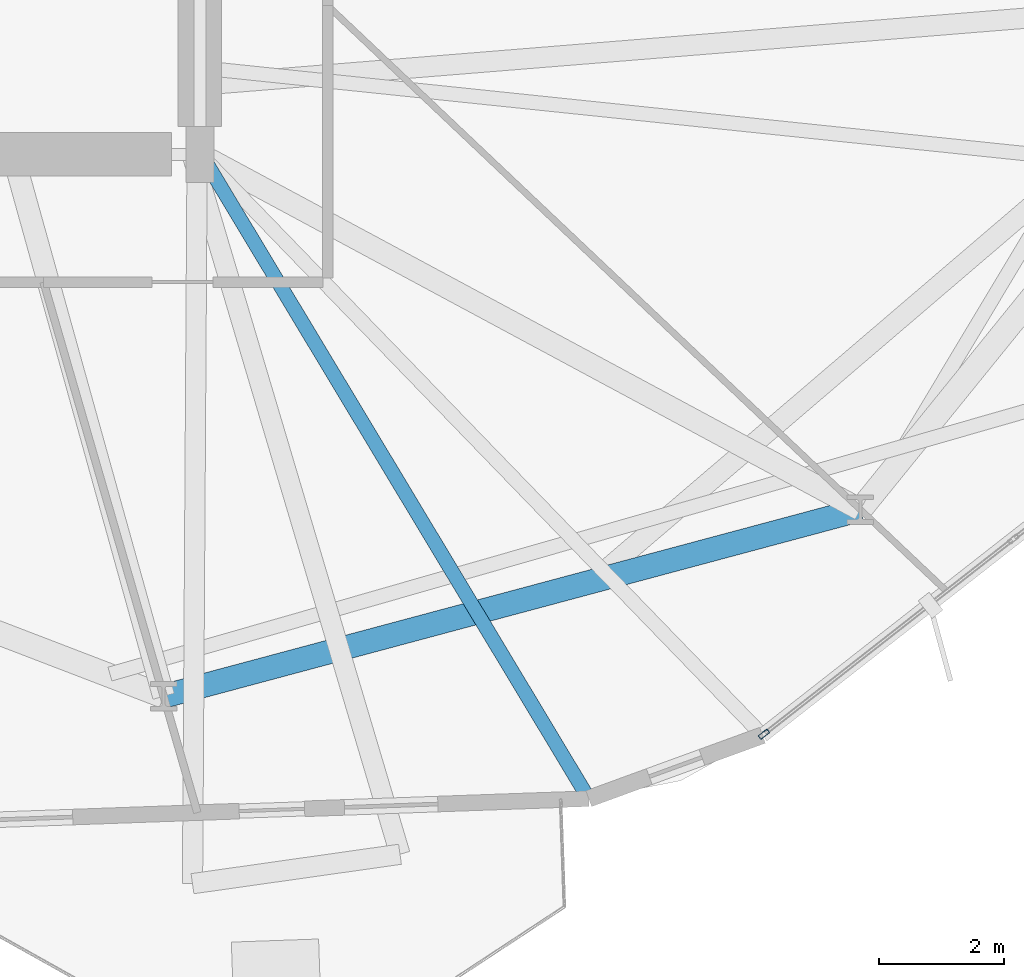
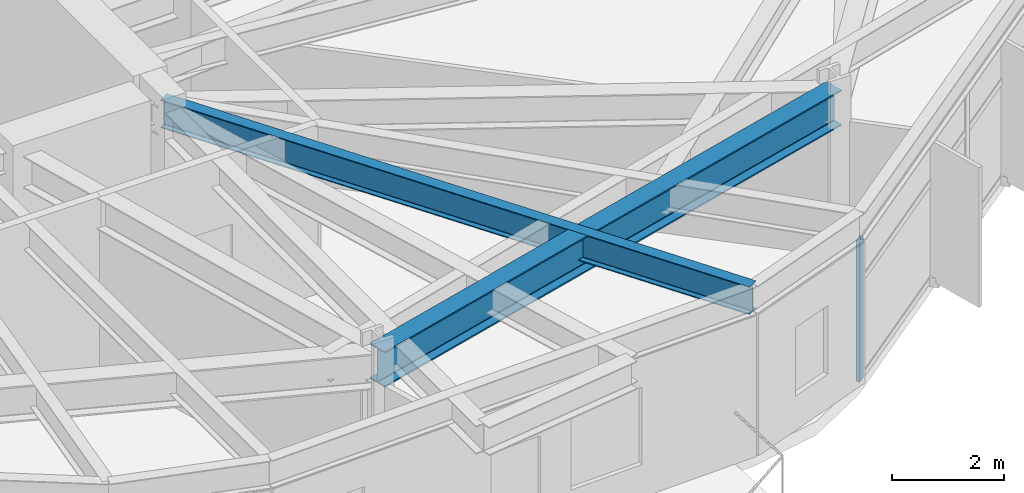
# One storey, part 5 of 21: 2 beams, 1 member, 1 element without a shape of its own.
"""IFC4 building model written with IfcOpenShell, lengths in metres."""

import ifcopenshell
import ifcopenshell.guid

model = None  # the IFC model being written
_history = None  # IfcOwnerHistory: only IFC2X3 demands one
_inside = {}  # id of a spatial element -> (the spatial element, [elements in it])
_under = {}  # id of a project, library or spatial element -> (it, [spatial elements below it])
_declared = {}  # id of a project -> (the project, [libraries it declares])
_typed = {}  # id of a type object -> (the type object, [elements of that type])
_made_of = {}  # id of a material, layer set ... -> (it, [elements and type objects made of it])


def new_model(schema):
    """Start an empty IFC model of exactly this schema.

    Asked for "IFC4X3", IfcOpenShell would pick the latest addendum, in which some entities
    have other attributes; the version numbers below select the first issue.
    IFC2X3 requires an IfcOwnerHistory on every rooted entity: one is made here for all.
    """
    global model, _history
    if schema == "IFC4X3":
        model = ifcopenshell.file(schema_version=(4, 3, 0, 0))
    else:
        model = ifcopenshell.file(schema=schema)
    _inside.clear()
    _under.clear()
    _declared.clear()
    _typed.clear()
    _made_of.clear()
    _history = None
    if model.schema == "IFC2X3":
        org = make("IfcOrganization", Name="unknown")
        user = make(
            "IfcPersonAndOrganization",
            ThePerson=make("IfcPerson", FamilyName="unknown"),
            TheOrganization=org,
        )
        app = make(
            "IfcApplication",
            ApplicationDeveloper=org,
            Version="unknown",
            ApplicationFullName="unknown",
            ApplicationIdentifier="unknown",
        )
        _history = make(
            "IfcOwnerHistory",
            OwningUser=user,
            OwningApplication=app,
            ChangeAction="ADDED",
            CreationDate=0,
        )
    return model


def make(cls, **values):
    """One entity of the class cls with the attributes given. An attribute that is None is left unset."""
    return model.create_entity(
        cls, **{name: value for name, value in values.items() if value is not None}
    )


def rooted(cls, **values):
    """An entity with a GlobalId (a new one), such as an element, a storey or a relation."""
    return make(cls, GlobalId=ifcopenshell.guid.new(), OwnerHistory=_history, **values)


def si_unit(unit_type, name, prefix=None):
    """IfcSIUnit, for example si_unit("LENGTHUNIT", "METRE", prefix="MILLI")."""
    return make("IfcSIUnit", UnitType=unit_type, Prefix=prefix, Name=name)


def assignment(units):
    """IfcUnitAssignment: the units of a project."""
    return None if units is None else make("IfcUnitAssignment", Units=units)


def point(xyz):
    """IfcCartesianPoint."""
    return None if xyz is None else make("IfcCartesianPoint", Coordinates=xyz)


def direction(xyz):
    """IfcDirection."""
    return None if xyz is None else make("IfcDirection", DirectionRatios=xyz)


def frame(location, z_axis=None, x_axis=None):
    """IfcAxis2Placement3D, a coordinate frame: its origin and axes. An axis left out is left unset."""
    return make(
        "IfcAxis2Placement3D",
        Location=point(location),
        Axis=direction(z_axis),
        RefDirection=direction(x_axis),
    )


def frame_2d(location, x_axis=None):
    """IfcAxis2Placement2D, a coordinate frame in the plane: its origin and x axis."""
    return make(
        "IfcAxis2Placement2D", Location=point(location), RefDirection=direction(x_axis)
    )


def origin():
    """The frame at (0, 0, 0) with its axes left unset."""
    return frame((0.0, 0.0, 0.0))


def origin_2d():
    """The frame at (0, 0) in the plane with its x axis left unset."""
    return frame_2d((0.0, 0.0))


def place(relative_to, where):
    """IfcLocalPlacement: puts the frame where relative to a parent placement (None: the world)."""
    return make(
        "IfcLocalPlacement", PlacementRelTo=relative_to, RelativePlacement=where
    )


def context(
    kind, dimensions, precision=None, world=None, true_north=None, identifier=None
):
    """IfcGeometricRepresentationContext, for example the 3D "Model" context."""
    return make(
        "IfcGeometricRepresentationContext",
        ContextIdentifier=identifier,
        ContextType=kind,
        CoordinateSpaceDimension=dimensions,
        Precision=precision,
        WorldCoordinateSystem=world,
        TrueNorth=true_north,
    )


def subcontext(parent, identifier, kind, view, scale=None):
    """IfcGeometricRepresentationSubContext, for example "Body" below "Model"."""
    return make(
        "IfcGeometricRepresentationSubContext",
        ContextIdentifier=identifier,
        ContextType=kind,
        ParentContext=parent,
        TargetScale=scale,
        TargetView=view,
    )


def project(units=None, contexts=None):
    """IfcProject with its units and contexts."""
    return rooted(
        "IfcProject",
        Name="project",
        RepresentationContexts=contexts,
        UnitsInContext=assignment(units),
    )


def spatial(cls, under=None, at=None, **own):
    """A site, building, storey or space (cls), placed at a placement, below another one or the project."""
    s = rooted(cls, ObjectPlacement=at, **own)
    if under is not None:
        _under.setdefault(under.id(), (under, []))[1].append(s)
    return s


def profile(cls, at=None, kind="AREA", **sizes):
    """A parametric profile (cls). Its sizes go by their IFC names, for example OverallWidth=200.0."""
    return make(cls, ProfileType=kind, Position=at, **sizes)


def hollow_rectangle(**sizes):
    """IfcRectangleHollowProfileDef."""
    return profile("IfcRectangleHollowProfileDef", **sizes)


def i_section(**sizes):
    """IfcIShapeProfileDef."""
    return profile("IfcIShapeProfileDef", **sizes)


def extrude(swept, where, along, depth):
    """IfcExtrudedAreaSolid: the profile swept, set in the frame where, extruded along a direction by depth."""
    return make(
        "IfcExtrudedAreaSolid",
        SweptArea=swept,
        Position=where,
        ExtrudedDirection=direction(along),
        Depth=depth,
    )


def shape(context_of_items, identifier, shape_type, items):
    """IfcShapeRepresentation: the items that make up one representation, for example the "Body"."""
    return make(
        "IfcShapeRepresentation",
        ContextOfItems=context_of_items,
        RepresentationIdentifier=identifier,
        RepresentationType=shape_type,
        Items=items,
    )


def material(Name=None, Category=None):
    """IfcMaterial."""
    return make("IfcMaterial", Name=Name, Category=Category)


def layer(
    of_material, thickness, ventilated=None, Name=None, Category=None, Priority=None
):
    """IfcMaterialLayer: one layer of a wall or slab, of a material (None: an air gap)."""
    return make(
        "IfcMaterialLayer",
        Material=of_material,
        LayerThickness=thickness,
        IsVentilated=ventilated,
        Name=Name,
        Category=Category,
        Priority=Priority,
    )


def layer_set(layers, Name=None):
    """IfcMaterialLayerSet."""
    return make("IfcMaterialLayerSet", MaterialLayers=layers, LayerSetName=Name)


def material_profile(
    of_material, cross_section, Name=None, Category=None, Priority=None
):
    """IfcMaterialProfile: a cross section and its material."""
    return make(
        "IfcMaterialProfile",
        Name=Name,
        Material=of_material,
        Profile=cross_section,
        Priority=Priority,
        Category=Category,
    )


def profile_set(profiles, Name=None, composite=None):
    """IfcMaterialProfileSet."""
    return make(
        "IfcMaterialProfileSet",
        Name=Name,
        MaterialProfiles=profiles,
        CompositeProfile=composite,
    )


def made_of(thing, what):
    """Note that an element or type object is made of a material, layer set ...; save() writes the relation."""
    if what is not None:
        _made_of.setdefault(what.id(), (what, []))[1].append(thing)
    return thing


def type_object(cls, material=None, **own):
    """A type object (cls), such as IfcWallType, which elements share."""
    return made_of(rooted(cls, **own), material)


def element(
    cls,
    number,
    at=None,
    inside=None,
    cuts=None,
    type_object=None,
    material=None,
    context=None,
    identifier="Body",
    shape_type=None,
    held_by="IfcProductDefinitionShape",
    body=None,
    shapes=None,
    **own,
):
    """One element of the class cls, such as IfcWall. Its Tag is "e" and its number.

    at: its placement. inside: the storey or other place that contains it. cuts: it is an
    opening in that element (IfcRelVoidsElement). A single representation is given by context,
    identifier, shape_type and body (its items); several are given by shapes. held_by: the class
    of the entity that holds the representations. save() writes the other relations.
    """
    e = rooted(cls, Tag="e%d" % number, ObjectPlacement=at, **own)
    if body is not None:
        shapes = [shape(context, identifier, shape_type, body)]
    if shapes is not None:
        e.Representation = make(held_by, Representations=shapes)
    if inside is not None:
        _inside.setdefault(inside.id(), (inside, []))[1].append(e)
    if cuts is not None:
        rooted(
            "IfcRelVoidsElement", RelatingBuildingElement=cuts, RelatedOpeningElement=e
        )
    if type_object is not None:
        _typed.setdefault(type_object.id(), (type_object, []))[1].append(e)
    return made_of(e, material)


def aggregate(whole, parts):
    """IfcRelAggregates: a whole, such as a stair, and the parts it consists of."""
    return rooted("IfcRelAggregates", RelatingObject=whole, RelatedObjects=parts)


def save(model, path):
    """Write the relations noted so far, then the file.

    IfcRelAggregates (storeys below a building ...), IfcRelContainedInSpatialStructure (elements
    in a storey), IfcRelDefinesByType, IfcRelAssociatesMaterial and IfcRelDeclares: one each for
    every whole, place, type object, material and project.
    """
    for whole, parts in _under.values():
        aggregate(whole, parts)
    for where, things in _inside.values():
        rooted(
            "IfcRelContainedInSpatialStructure",
            RelatedElements=things,
            RelatingStructure=where,
        )
    for kind, things in _typed.values():
        rooted("IfcRelDefinesByType", RelatedObjects=things, RelatingType=kind)
    for what, things in _made_of.values():
        rooted("IfcRelAssociatesMaterial", RelatedObjects=things, RelatingMaterial=what)
    for by, libraries in _declared.values():
        rooted("IfcRelDeclares", RelatingContext=by, RelatedDefinitions=libraries)
    model.write(path)


model = new_model("IFC4")

# Units and contexts
model_context = context("Model", 3, precision=1e-05, world=origin(), true_north=direction((0.0, 1.0)))
body_context = subcontext(model_context, "Body", "Model", "MODEL_VIEW")
ifc_project = project(units=[si_unit("LENGTHUNIT", "METRE"), si_unit("AREAUNIT", "SQUARE_METRE"), si_unit("VOLUMEUNIT", "CUBIC_METRE"), si_unit("PLANEANGLEUNIT", "RADIAN"), si_unit("MASSUNIT", "GRAM", prefix="KILO")], contexts=[model_context])

# Site, building, storey
site_placement = place(None, origin())
site = spatial("IfcSite", under=ifc_project, at=site_placement, CompositionType="ELEMENT")
building_placement = place(site_placement, origin())
building = spatial("IfcBuilding", under=site, at=building_placement, Name="Soratama Intermodal Tower", CompositionType="ELEMENT")
storey_placement = place(building_placement, frame((0.0, 0.0, 34.60009765625)))
storey = spatial("IfcBuildingStorey", under=building, at=storey_placement, Name="L07", CompositionType="ELEMENT", Elevation=34.60009765625)

# Beams
ifc_material_1 = material(Name="Structural steel ASTM A992 Grade 50", Category="steel")
ifc_material_profile_1 = material_profile(ifc_material_1, i_section(OverallWidth=0.382080078125, OverallDepth=0.779052734375, WebThickness=0.01806640625, FlangeThickness=0.030029296875, FilletRadius=0.01806640625, at=origin_2d()), Name="W30X191")
ifc_profile_set_1 = profile_set([ifc_material_profile_1], Name="Structural steel ASTM A992 Grade 50")
beam_type_1 = type_object("IfcBeamType", Name="BM-RING-W30X191", PredefinedType="BEAM", material=ifc_profile_set_1)
beam_1_placement = place(storey_placement, frame((44.02001953125, 6.305908203125, 3.310302734375), z_axis=(0.965935902196, 0.258781438376, 0.0), x_axis=(-0.258781438376, 0.965935902196, 0.0)))
element("IfcBeam", 1, at=beam_1_placement, inside=storey, type_object=beam_type_1, Name="BM-L07-RING-08", PredefinedType="BEAM", context=body_context, shape_type="SweptSolid", body=[
    extrude(i_section(OverallWidth=0.382080078125, OverallDepth=0.779052734375, WebThickness=0.01806640625, FlangeThickness=0.030029296875, FilletRadius=0.01806640625, at=origin_2d()), origin(), (0.0, 0.0, 1.0), 11.570068359375),
])
ifc_material_2 = material(Name="Structural steel ASTM A992 Grade 50", Category="steel")
ifc_material_profile_2 = material_profile(ifc_material_2, i_section(OverallWidth=0.22900390625, OverallDepth=0.612060546875, WebThickness=0.011962890625, FlangeThickness=0.01953125, FilletRadius=0.012939453125, at=origin_2d()), Name="W24X84")
ifc_profile_set_2 = profile_set([ifc_material_profile_2], Name="Structural steel ASTM A992 Grade 50")
beam_type_2 = type_object("IfcBeamType", Name="BM-TIE-W24X84", PredefinedType="BEAM", material=ifc_profile_set_2)
beam_2_placement = place(storey_placement, frame((44.62109375, 15.00390625, 3.393798828125), z_axis=(0.515319723681, -0.856998006057, 0.0), x_axis=(0.856998006057, 0.515319723681, 0.0)))
element("IfcBeam", 2, at=beam_2_placement, inside=storey, type_object=beam_type_2, Name="BM-L07-TIE1-08", PredefinedType="BEAM", context=body_context, shape_type="SweptSolid", body=[
    extrude(i_section(OverallWidth=0.22900390625, OverallDepth=0.612060546875, WebThickness=0.011962890625, FlangeThickness=0.01953125, FilletRadius=0.012939453125, at=origin_2d()), origin(), (0.0, 0.0, 1.0), 12.06640625),
])

# Curtain wall, member
ifc_material_3 = material(Name="Double-glazed aluminium curtain wall", Category="aluminium")
ifc_layer = layer(ifc_material_3, 0.159912109375)
ifc_layer_set = layer_set([ifc_layer], Name="Double-glazed aluminium curtain wall")
curtain_wall_type = type_object("IfcCurtainWallType", Name="CW-SYS-2", PredefinedType="NOTDEFINED", material=ifc_layer_set)
curtain_wall_placement = place(storey_placement, origin())
curtain_wall = element("IfcCurtainWall", 3, at=curtain_wall_placement, inside=storey, type_object=curtain_wall_type, Name="L07 Faceted Curtain Wall F09", PredefinedType="NOTDEFINED")
ifc_material_4 = material(Name="Anodised aluminium AA 6063-T6", Category="aluminium")
ifc_material_profile_3 = material_profile(ifc_material_4, hollow_rectangle(XDim=0.074951171875, YDim=0.179931640625, WallThickness=0.006103515625, InnerFilletRadius=0.006103515625, OuterFilletRadius=0.011962890625, at=origin_2d()), Name="CWM180X75X6")
ifc_profile_set_3 = profile_set([ifc_material_profile_3], Name="Anodised aluminium AA 6063-T6")
member_type = type_object("IfcMemberType", Name="MT-CWM-2", PredefinedType="MULLION", material=ifc_profile_set_3)
member_placement = place(storey_placement, frame((53.649658203125, 5.698486328125, 0.0), z_axis=(0.0, 0.0, 1.0), x_axis=(-0.616217526023, 0.787576003076, 0.0)))
member = element("IfcMember", 4, at=member_placement, type_object=member_type, Name="CW-2 mullion 1", PredefinedType="MULLION", context=body_context, shape_type="SweptSolid", body=[
    extrude(hollow_rectangle(XDim=0.074951171875, YDim=0.179931640625, WallThickness=0.006103515625, InnerFilletRadius=0.006103515625, OuterFilletRadius=0.011962890625, at=origin_2d()), origin(), (0.0, 0.0, 1.0), 3.078857421875),
])
aggregate(curtain_wall, [member])

save(model, "model.ifc")
